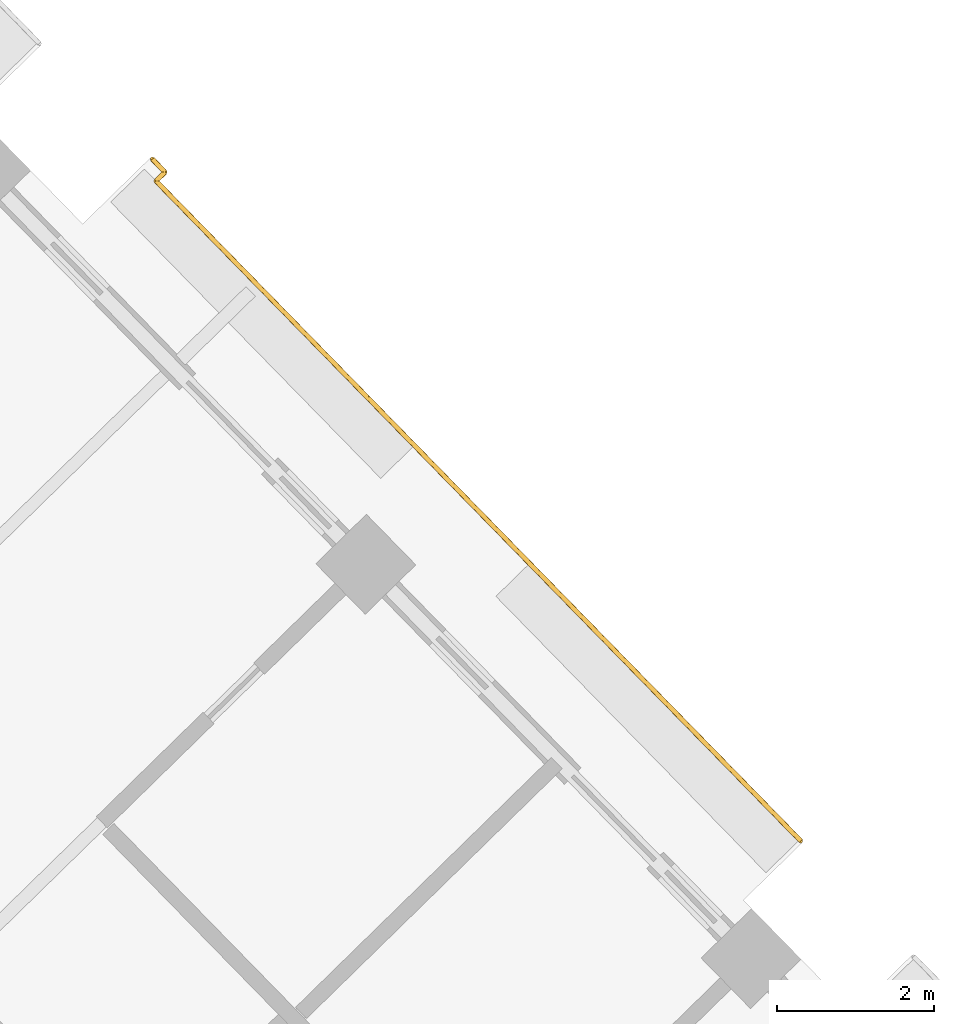
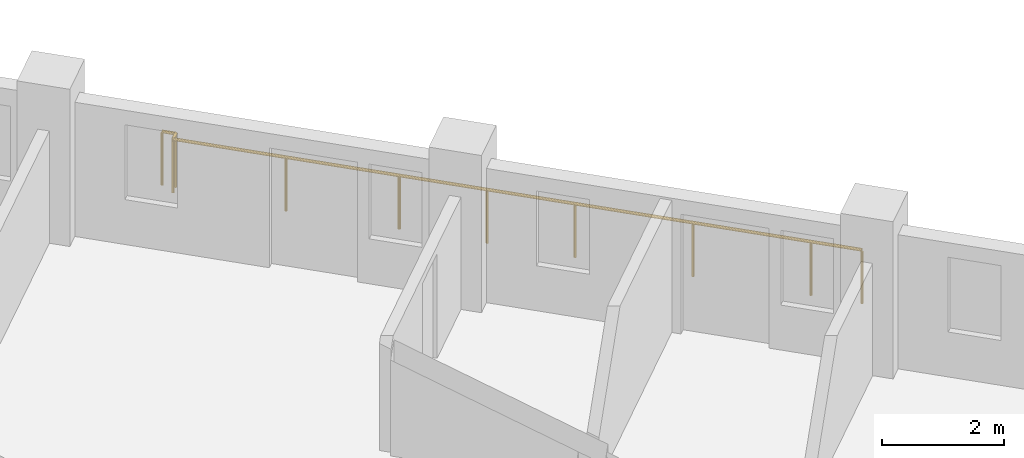
# One storey, part 18 of 19: 1 railing.
"""IFC4 building model written with IfcOpenShell, lengths in metres."""

import ifcopenshell
import ifcopenshell.guid

model = None  # the IFC model being written
_history = None  # IfcOwnerHistory: only IFC2X3 demands one
_inside = {}  # id of a spatial element -> (the spatial element, [elements in it])
_under = {}  # id of a project, library or spatial element -> (it, [spatial elements below it])
_declared = {}  # id of a project -> (the project, [libraries it declares])
_typed = {}  # id of a type object -> (the type object, [elements of that type])
_made_of = {}  # id of a material, layer set ... -> (it, [elements and type objects made of it])


def new_model(schema):
    """Start an empty IFC model of exactly this schema.

    Asked for "IFC4X3", IfcOpenShell would pick the latest addendum, in which some entities
    have other attributes; the version numbers below select the first issue.
    IFC2X3 requires an IfcOwnerHistory on every rooted entity: one is made here for all.
    """
    global model, _history
    if schema == "IFC4X3":
        model = ifcopenshell.file(schema_version=(4, 3, 0, 0))
    else:
        model = ifcopenshell.file(schema=schema)
    _inside.clear()
    _under.clear()
    _declared.clear()
    _typed.clear()
    _made_of.clear()
    _history = None
    if model.schema == "IFC2X3":
        org = make("IfcOrganization", Name="unknown")
        user = make(
            "IfcPersonAndOrganization",
            ThePerson=make("IfcPerson", FamilyName="unknown"),
            TheOrganization=org,
        )
        app = make(
            "IfcApplication",
            ApplicationDeveloper=org,
            Version="unknown",
            ApplicationFullName="unknown",
            ApplicationIdentifier="unknown",
        )
        _history = make(
            "IfcOwnerHistory",
            OwningUser=user,
            OwningApplication=app,
            ChangeAction="ADDED",
            CreationDate=0,
        )
    return model


def make(cls, **values):
    """One entity of the class cls with the attributes given. An attribute that is None is left unset."""
    return model.create_entity(
        cls, **{name: value for name, value in values.items() if value is not None}
    )


def rooted(cls, **values):
    """An entity with a GlobalId (a new one), such as an element, a storey or a relation."""
    return make(cls, GlobalId=ifcopenshell.guid.new(), OwnerHistory=_history, **values)


def si_unit(unit_type, name, prefix=None):
    """IfcSIUnit, for example si_unit("LENGTHUNIT", "METRE", prefix="MILLI")."""
    return make("IfcSIUnit", UnitType=unit_type, Prefix=prefix, Name=name)


def assignment(units):
    """IfcUnitAssignment: the units of a project."""
    return None if units is None else make("IfcUnitAssignment", Units=units)


def point(xyz):
    """IfcCartesianPoint."""
    return None if xyz is None else make("IfcCartesianPoint", Coordinates=xyz)


def direction(xyz):
    """IfcDirection."""
    return None if xyz is None else make("IfcDirection", DirectionRatios=xyz)


def frame(location, z_axis=None, x_axis=None):
    """IfcAxis2Placement3D, a coordinate frame: its origin and axes. An axis left out is left unset."""
    return make(
        "IfcAxis2Placement3D",
        Location=point(location),
        Axis=direction(z_axis),
        RefDirection=direction(x_axis),
    )


def frame_2d(location, x_axis=None):
    """IfcAxis2Placement2D, a coordinate frame in the plane: its origin and x axis."""
    return make(
        "IfcAxis2Placement2D", Location=point(location), RefDirection=direction(x_axis)
    )


def origin():
    """The frame at (0, 0, 0) with its axes left unset."""
    return frame((0.0, 0.0, 0.0))


def origin_2d():
    """The frame at (0, 0) in the plane with its x axis left unset."""
    return frame_2d((0.0, 0.0))


def place(relative_to, where):
    """IfcLocalPlacement: puts the frame where relative to a parent placement (None: the world)."""
    return make(
        "IfcLocalPlacement", PlacementRelTo=relative_to, RelativePlacement=where
    )


def context(
    kind, dimensions, precision=None, world=None, true_north=None, identifier=None
):
    """IfcGeometricRepresentationContext, for example the 3D "Model" context."""
    return make(
        "IfcGeometricRepresentationContext",
        ContextIdentifier=identifier,
        ContextType=kind,
        CoordinateSpaceDimension=dimensions,
        Precision=precision,
        WorldCoordinateSystem=world,
        TrueNorth=true_north,
    )


def subcontext(parent, identifier, kind, view, scale=None):
    """IfcGeometricRepresentationSubContext, for example "Body" below "Model"."""
    return make(
        "IfcGeometricRepresentationSubContext",
        ContextIdentifier=identifier,
        ContextType=kind,
        ParentContext=parent,
        TargetScale=scale,
        TargetView=view,
    )


def project(units=None, contexts=None):
    """IfcProject with its units and contexts."""
    return rooted(
        "IfcProject",
        Name="project",
        RepresentationContexts=contexts,
        UnitsInContext=assignment(units),
    )


def spatial(cls, under=None, at=None, **own):
    """A site, building, storey or space (cls), placed at a placement, below another one or the project."""
    s = rooted(cls, ObjectPlacement=at, **own)
    if under is not None:
        _under.setdefault(under.id(), (under, []))[1].append(s)
    return s


def profile(cls, at=None, kind="AREA", **sizes):
    """A parametric profile (cls). Its sizes go by their IFC names, for example OverallWidth=200.0."""
    return make(cls, ProfileType=kind, Position=at, **sizes)


def circle(**sizes):
    """IfcCircleProfileDef."""
    return profile("IfcCircleProfileDef", **sizes)


def extrude(swept, where, along, depth):
    """IfcExtrudedAreaSolid: the profile swept, set in the frame where, extruded along a direction by depth."""
    return make(
        "IfcExtrudedAreaSolid",
        SweptArea=swept,
        Position=where,
        ExtrudedDirection=direction(along),
        Depth=depth,
    )


def shape(context_of_items, identifier, shape_type, items):
    """IfcShapeRepresentation: the items that make up one representation, for example the "Body"."""
    return make(
        "IfcShapeRepresentation",
        ContextOfItems=context_of_items,
        RepresentationIdentifier=identifier,
        RepresentationType=shape_type,
        Items=items,
    )


def material(Name=None, Category=None):
    """IfcMaterial."""
    return make("IfcMaterial", Name=Name, Category=Category)


def made_of(thing, what):
    """Note that an element or type object is made of a material, layer set ...; save() writes the relation."""
    if what is not None:
        _made_of.setdefault(what.id(), (what, []))[1].append(thing)
    return thing


def type_object(cls, material=None, **own):
    """A type object (cls), such as IfcWallType, which elements share."""
    return made_of(rooted(cls, **own), material)


def element(
    cls,
    number,
    at=None,
    inside=None,
    cuts=None,
    type_object=None,
    material=None,
    context=None,
    identifier="Body",
    shape_type=None,
    held_by="IfcProductDefinitionShape",
    body=None,
    shapes=None,
    **own,
):
    """One element of the class cls, such as IfcWall. Its Tag is "e" and its number.

    at: its placement. inside: the storey or other place that contains it. cuts: it is an
    opening in that element (IfcRelVoidsElement). A single representation is given by context,
    identifier, shape_type and body (its items); several are given by shapes. held_by: the class
    of the entity that holds the representations. save() writes the other relations.
    """
    e = rooted(cls, Tag="e%d" % number, ObjectPlacement=at, **own)
    if body is not None:
        shapes = [shape(context, identifier, shape_type, body)]
    if shapes is not None:
        e.Representation = make(held_by, Representations=shapes)
    if inside is not None:
        _inside.setdefault(inside.id(), (inside, []))[1].append(e)
    if cuts is not None:
        rooted(
            "IfcRelVoidsElement", RelatingBuildingElement=cuts, RelatedOpeningElement=e
        )
    if type_object is not None:
        _typed.setdefault(type_object.id(), (type_object, []))[1].append(e)
    return made_of(e, material)


def aggregate(whole, parts):
    """IfcRelAggregates: a whole, such as a stair, and the parts it consists of."""
    return rooted("IfcRelAggregates", RelatingObject=whole, RelatedObjects=parts)


def save(model, path):
    """Write the relations noted so far, then the file.

    IfcRelAggregates (storeys below a building ...), IfcRelContainedInSpatialStructure (elements
    in a storey), IfcRelDefinesByType, IfcRelAssociatesMaterial and IfcRelDeclares: one each for
    every whole, place, type object, material and project.
    """
    for whole, parts in _under.values():
        aggregate(whole, parts)
    for where, things in _inside.values():
        rooted(
            "IfcRelContainedInSpatialStructure",
            RelatedElements=things,
            RelatingStructure=where,
        )
    for kind, things in _typed.values():
        rooted("IfcRelDefinesByType", RelatedObjects=things, RelatingType=kind)
    for what, things in _made_of.values():
        rooted("IfcRelAssociatesMaterial", RelatedObjects=things, RelatingMaterial=what)
    for by, libraries in _declared.values():
        rooted("IfcRelDeclares", RelatingContext=by, RelatedDefinitions=libraries)
    model.write(path)


model = new_model("IFC4")

# Units and contexts
model_context = context("Model", 3, precision=1e-05, world=origin(), true_north=direction((0.0, 1.0)))
body_context = subcontext(model_context, "Body", "Model", "MODEL_VIEW")
ifc_project = project(units=[si_unit("LENGTHUNIT", "METRE"), si_unit("AREAUNIT", "SQUARE_METRE"), si_unit("VOLUMEUNIT", "CUBIC_METRE"), si_unit("PLANEANGLEUNIT", "RADIAN"), si_unit("MASSUNIT", "GRAM", prefix="KILO")], contexts=[model_context])

# Site, building, storey
site_placement = place(None, origin())
site = spatial("IfcSite", under=ifc_project, at=site_placement, CompositionType="ELEMENT")
building_placement = place(site_placement, origin())
building = spatial("IfcBuilding", under=site, at=building_placement, Name="Cantera Rosa Tower", CompositionType="ELEMENT")
storey_placement = place(building_placement, frame((0.0, 0.0, 241.39990234375)))
storey = spatial("IfcBuildingStorey", under=building, at=storey_placement, Name="L53", CompositionType="ELEMENT", Elevation=241.39990234375)

# Railing
ifc_material = material(Name="Stainless steel and laminated glass", Category="steel")
railing_type = type_object("IfcRailingType", Name="GUARD 1100", PredefinedType="BALUSTRADE", material=ifc_material)
railing_placement = place(storey_placement, frame((12.568603515625, 25.001708984375, 0.0)))
element("IfcRailing", 1, at=railing_placement, inside=storey, type_object=railing_type, Name="GUARD L53-6", PredefinedType="BALUSTRADE", context=body_context, shape_type="SweptSolid", body=[
    extrude(circle(Radius=0.030029296875, at=origin_2d()), frame((0.0, 0.0, 1.070068359375), z_axis=(0.698639338313, -0.715474021164, 0.0), x_axis=(0.715474021164, 0.698639338313, 0.0)), (0.0, 0.0, 1.0), 0.23193359375),
    extrude(circle(Radius=0.030029296875, at=origin_2d()), frame((0.162109375, -0.166015625, 1.070068359375), z_axis=(-0.715341165178, -0.698775369774, 0.0), x_axis=(0.698775369774, -0.715341165178, 0.0)), (0.0, 0.0, 1.0), 0.162109375),
    extrude(circle(Radius=0.030029296875, at=origin_2d()), frame((0.046142578125, -0.279296875, 1.070068359375), z_axis=(0.698832156495, -0.715285689112, 0.0), x_axis=(0.715285689112, 0.698832156495, 0.0)), (0.0, 0.0, 1.0), 3.85791015625),
    extrude(circle(Radius=0.030029296875, at=origin_2d()), frame((2.7421875, -3.038818359375, 1.070068359375), z_axis=(0.698840237873, -0.715277793538, 0.0), x_axis=(0.715277793538, 0.698840237873, 0.0)), (0.0, 0.0, 1.0), 3.000244140625),
    extrude(circle(Radius=0.030029296875, at=origin_2d()), frame((4.8388671875, -5.184814453125, 1.070068359375), z_axis=(0.698860224463, -0.715258265708, 0.0), x_axis=(0.715258265708, 0.698860224463, 0.0)), (0.0, 0.0, 1.0), 4.019775390625),
    extrude(circle(Radius=0.030029296875, at=origin_2d()), frame((7.648193359375, -8.06005859375, 1.070068359375), z_axis=(0.698779602308, -0.715337030636, 0.0), x_axis=(0.715337030636, 0.698779602308, 0.0)), (0.0, 0.0, 1.0), 0.869873046875),
    extrude(circle(Radius=0.02490234375, at=origin_2d()), origin(), (0.0, 0.0, 1.0), 1.0400390625),
    extrude(circle(Radius=0.02490234375, at=origin_2d()), frame((0.162109375, -0.166015625, 0.0)), (0.0, 0.0, 1.0), 1.0400390625),
    extrude(circle(Radius=0.02490234375, at=origin_2d()), frame((0.046142578125, -0.279296875, 0.0)), (0.0, 0.0, 1.0), 1.0400390625),
    extrude(circle(Radius=0.02490234375, at=origin_2d()), frame((1.39404296875, -1.6591796875, 0.0)), (0.0, 0.0, 1.0), 1.0400390625),
    extrude(circle(Radius=0.02490234375, at=origin_2d()), frame((2.7421875, -3.038818359375, 0.0)), (0.0, 0.0, 1.0), 1.0400390625),
    extrude(circle(Radius=0.02490234375, at=origin_2d()), frame((3.79052734375, -4.11181640625, 0.0)), (0.0, 0.0, 1.0), 1.0400390625),
    extrude(circle(Radius=0.02490234375, at=origin_2d()), frame((4.8388671875, -5.184814453125, 0.0)), (0.0, 0.0, 1.0), 1.0400390625),
    extrude(circle(Radius=0.02490234375, at=origin_2d()), frame((6.24365234375, -6.62255859375, 0.0)), (0.0, 0.0, 1.0), 1.0400390625),
    extrude(circle(Radius=0.02490234375, at=origin_2d()), frame((7.648193359375, -8.06005859375, 0.0)), (0.0, 0.0, 1.0), 1.0400390625),
    extrude(circle(Radius=0.02490234375, at=origin_2d()), frame((8.256103515625, -8.682373046875, 0.0)), (0.0, 0.0, 1.0), 1.0400390625),
])

save(model, "model.ifc")
